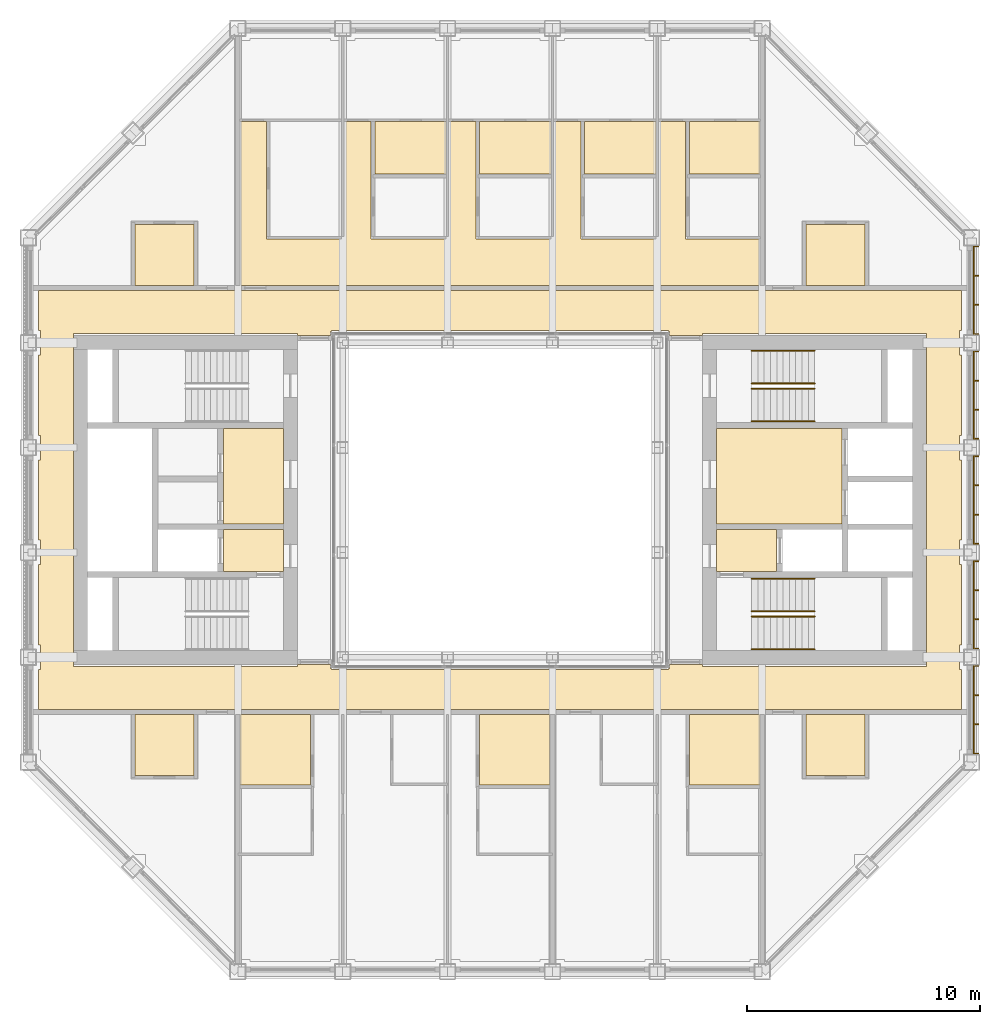
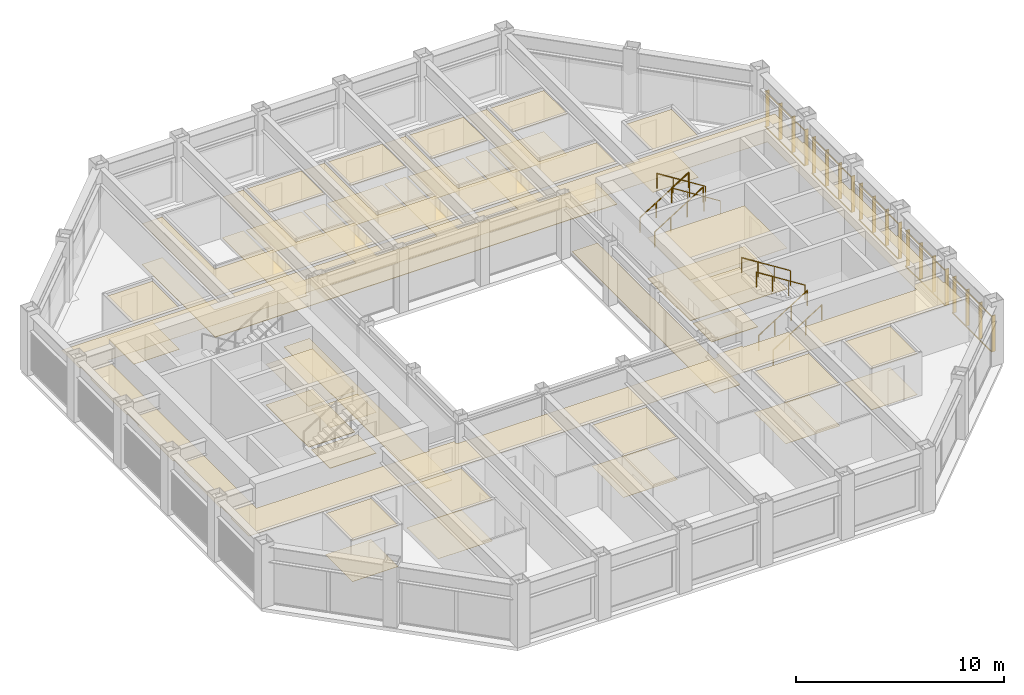
# One storey, part 16 of 17: 8 railings, 4 coverings, 1 shading device.
"""IFC4 building model written with IfcOpenShell, lengths in metres."""

from ifc_helpers import new_model, si_unit, direction, frame, origin, origin_2d, place, context, subcontext, project, spatial, line, indexed_curve, rectangle, circle, outline, extrude, material, layer, layer_set, type_object, element, save


model = new_model("IFC4")

# Units and contexts
model_context = context("Model", 3, precision=1e-05, world=origin(), true_north=direction((0.0, 1.0)))
body_context = subcontext(model_context, "Body", "Model", "MODEL_VIEW")
ifc_project = project(units=[si_unit("LENGTHUNIT", "METRE"), si_unit("AREAUNIT", "SQUARE_METRE"), si_unit("VOLUMEUNIT", "CUBIC_METRE"), si_unit("PLANEANGLEUNIT", "RADIAN"), si_unit("MASSUNIT", "GRAM", prefix="KILO")], contexts=[model_context])

# Site, building, storey
site_placement = place(None, origin())
site = spatial("IfcSite", under=ifc_project, at=site_placement, CompositionType="ELEMENT")
building_placement = place(site_placement, origin())
building = spatial("IfcBuilding", under=site, at=building_placement, Name="Msasa Ring Tower", CompositionType="ELEMENT")
storey_placement = place(building_placement, frame((0.0, 0.0, 253.300048828125)))
storey = spatial("IfcBuildingStorey", under=building, at=storey_placement, Name="L66", CompositionType="ELEMENT", Elevation=253.300048828125)

# Shading device
ifc_material_1 = material(Name="Extruded terracotta on aluminium carriers", Category="masonry")
shading_device_type = type_object("IfcShadingDeviceType", Name="BS2 TERRACOTTA FIN SCREEN 40x200 AT 1350", PredefinedType="USERDEFINED", material=ifc_material_1)
shading_device_placement = place(storey_placement, origin())
element("IfcShadingDevice", 1, at=shading_device_placement, inside=storey, type_object=shading_device_type, Name="Terracotta fin screen E L66", ObjectType="BAGUETTE", PredefinedType="USERDEFINED", context=body_context, shape_type="SweptSolid", body=[
    extrude(rectangle(XDim=0.06005859375, YDim=0.0400390625, at=origin_2d()), frame((20.330078125, -10.89990234375, 0.329833984375), z_axis=(0.0, 1.0, 0.0), x_axis=(0.0, 0.0, 1.0)), (0.0, 0.0, 1.0), 3.800048828125),
    extrude(rectangle(XDim=0.06005859375, YDim=0.0400390625, at=origin_2d()), frame((20.330078125, -10.89990234375, 2.39892578125), z_axis=(0.0, 1.0, 0.0), x_axis=(0.0, 0.0, 1.0)), (0.0, 0.0, 1.0), 3.800048828125),
    extrude(rectangle(XDim=0.0400390625, YDim=0.199951171875, at=origin_2d()), frame((20.445068359375, -10.8798828125, 0.300048828125), z_axis=(0.0, 0.0, 1.0), x_axis=(0.0, 1.0, 0.0)), (0.0, 0.0, 1.0), 2.12890625),
    extrude(rectangle(XDim=0.0400390625, YDim=0.199951171875, at=origin_2d()), frame((20.445068359375, -9.626708984375, 0.300048828125), z_axis=(0.0, 0.0, 1.0), x_axis=(0.0, 1.0, 0.0)), (0.0, 0.0, 1.0), 2.12890625),
    extrude(rectangle(XDim=0.0400390625, YDim=0.199951171875, at=origin_2d()), frame((20.445068359375, -8.373291015625, 0.300048828125), z_axis=(0.0, 0.0, 1.0), x_axis=(0.0, 1.0, 0.0)), (0.0, 0.0, 1.0), 2.12890625),
    extrude(rectangle(XDim=0.0400390625, YDim=0.199951171875, at=origin_2d()), frame((20.445068359375, -7.1201171875, 0.300048828125), z_axis=(0.0, 0.0, 1.0), x_axis=(0.0, 1.0, 0.0)), (0.0, 0.0, 1.0), 2.12890625),
    extrude(rectangle(XDim=0.06005859375, YDim=0.0400390625, at=origin_2d()), frame((20.330078125, -6.39990234375, 0.329833984375), z_axis=(0.0, 1.0, 0.0), x_axis=(0.0, 0.0, 1.0)), (0.0, 0.0, 1.0), 3.800048828125),
    extrude(rectangle(XDim=0.06005859375, YDim=0.0400390625, at=origin_2d()), frame((20.330078125, -6.39990234375, 2.39892578125), z_axis=(0.0, 1.0, 0.0), x_axis=(0.0, 0.0, 1.0)), (0.0, 0.0, 1.0), 3.800048828125),
    extrude(rectangle(XDim=0.0400390625, YDim=0.199951171875, at=origin_2d()), frame((20.445068359375, -6.3798828125, 0.300048828125), z_axis=(0.0, 0.0, 1.0), x_axis=(0.0, 1.0, 0.0)), (0.0, 0.0, 1.0), 2.12890625),
    extrude(rectangle(XDim=0.0400390625, YDim=0.199951171875, at=origin_2d()), frame((20.445068359375, -5.126708984375, 0.300048828125), z_axis=(0.0, 0.0, 1.0), x_axis=(0.0, 1.0, 0.0)), (0.0, 0.0, 1.0), 2.12890625),
    extrude(rectangle(XDim=0.0400390625, YDim=0.199951171875, at=origin_2d()), frame((20.445068359375, -3.873291015625, 0.300048828125), z_axis=(0.0, 0.0, 1.0), x_axis=(0.0, 1.0, 0.0)), (0.0, 0.0, 1.0), 2.12890625),
    extrude(rectangle(XDim=0.0400390625, YDim=0.199951171875, at=origin_2d()), frame((20.445068359375, -2.6201171875, 0.300048828125), z_axis=(0.0, 0.0, 1.0), x_axis=(0.0, 1.0, 0.0)), (0.0, 0.0, 1.0), 2.12890625),
    extrude(rectangle(XDim=0.06005859375, YDim=0.0400390625, at=origin_2d()), frame((20.330078125, -1.89990234375, 0.329833984375), z_axis=(0.0, 1.0, 0.0), x_axis=(0.0, 0.0, 1.0)), (0.0, 0.0, 1.0), 3.800048828125),
    extrude(rectangle(XDim=0.06005859375, YDim=0.0400390625, at=origin_2d()), frame((20.330078125, -1.89990234375, 2.39892578125), z_axis=(0.0, 1.0, 0.0), x_axis=(0.0, 0.0, 1.0)), (0.0, 0.0, 1.0), 3.800048828125),
    extrude(rectangle(XDim=0.0400390625, YDim=0.199951171875, at=origin_2d()), frame((20.445068359375, -1.8798828125, 0.300048828125), z_axis=(0.0, 0.0, 1.0), x_axis=(0.0, 1.0, 0.0)), (0.0, 0.0, 1.0), 2.12890625),
    extrude(rectangle(XDim=0.0400390625, YDim=0.199951171875, at=origin_2d()), frame((20.445068359375, -0.626708984375, 0.300048828125), z_axis=(0.0, 0.0, 1.0), x_axis=(0.0, 1.0, 0.0)), (0.0, 0.0, 1.0), 2.12890625),
    extrude(rectangle(XDim=0.0400390625, YDim=0.199951171875, at=origin_2d()), frame((20.445068359375, 0.626708984375, 0.300048828125), z_axis=(0.0, 0.0, 1.0), x_axis=(0.0, 1.0, 0.0)), (0.0, 0.0, 1.0), 2.12890625),
    extrude(rectangle(XDim=0.0400390625, YDim=0.199951171875, at=origin_2d()), frame((20.445068359375, 1.8798828125, 0.300048828125), z_axis=(0.0, 0.0, 1.0), x_axis=(0.0, 1.0, 0.0)), (0.0, 0.0, 1.0), 2.12890625),
    extrude(rectangle(XDim=0.06005859375, YDim=0.0400390625, at=origin_2d()), frame((20.330078125, 2.60009765625, 0.329833984375), z_axis=(0.0, 1.0, 0.0), x_axis=(0.0, 0.0, 1.0)), (0.0, 0.0, 1.0), 3.800048828125),
    extrude(rectangle(XDim=0.06005859375, YDim=0.0400390625, at=origin_2d()), frame((20.330078125, 2.60009765625, 2.39892578125), z_axis=(0.0, 1.0, 0.0), x_axis=(0.0, 0.0, 1.0)), (0.0, 0.0, 1.0), 3.800048828125),
    extrude(rectangle(XDim=0.0400390625, YDim=0.199951171875, at=origin_2d()), frame((20.445068359375, 2.6201171875, 0.300048828125), z_axis=(0.0, 0.0, 1.0), x_axis=(0.0, 1.0, 0.0)), (0.0, 0.0, 1.0), 2.12890625),
    extrude(rectangle(XDim=0.0400390625, YDim=0.199951171875, at=origin_2d()), frame((20.445068359375, 3.873291015625, 0.300048828125), z_axis=(0.0, 0.0, 1.0), x_axis=(0.0, 1.0, 0.0)), (0.0, 0.0, 1.0), 2.12890625),
    extrude(rectangle(XDim=0.0400390625, YDim=0.199951171875, at=origin_2d()), frame((20.445068359375, 5.126708984375, 0.300048828125), z_axis=(0.0, 0.0, 1.0), x_axis=(0.0, 1.0, 0.0)), (0.0, 0.0, 1.0), 2.12890625),
    extrude(rectangle(XDim=0.0400390625, YDim=0.199951171875, at=origin_2d()), frame((20.445068359375, 6.3798828125, 0.300048828125), z_axis=(0.0, 0.0, 1.0), x_axis=(0.0, 1.0, 0.0)), (0.0, 0.0, 1.0), 2.12890625),
    extrude(rectangle(XDim=0.06005859375, YDim=0.0400390625, at=origin_2d()), frame((20.330078125, 7.10009765625, 0.329833984375), z_axis=(0.0, 1.0, 0.0), x_axis=(0.0, 0.0, 1.0)), (0.0, 0.0, 1.0), 3.800048828125),
    extrude(rectangle(XDim=0.06005859375, YDim=0.0400390625, at=origin_2d()), frame((20.330078125, 7.10009765625, 2.39892578125), z_axis=(0.0, 1.0, 0.0), x_axis=(0.0, 0.0, 1.0)), (0.0, 0.0, 1.0), 3.800048828125),
    extrude(rectangle(XDim=0.0400390625, YDim=0.199951171875, at=origin_2d()), frame((20.445068359375, 7.1201171875, 0.300048828125), z_axis=(0.0, 0.0, 1.0), x_axis=(0.0, 1.0, 0.0)), (0.0, 0.0, 1.0), 2.12890625),
    extrude(rectangle(XDim=0.0400390625, YDim=0.199951171875, at=origin_2d()), frame((20.445068359375, 8.373291015625, 0.300048828125), z_axis=(0.0, 0.0, 1.0), x_axis=(0.0, 1.0, 0.0)), (0.0, 0.0, 1.0), 2.12890625),
    extrude(rectangle(XDim=0.0400390625, YDim=0.199951171875, at=origin_2d()), frame((20.445068359375, 9.626708984375, 0.300048828125), z_axis=(0.0, 0.0, 1.0), x_axis=(0.0, 1.0, 0.0)), (0.0, 0.0, 1.0), 2.12890625),
    extrude(rectangle(XDim=0.0400390625, YDim=0.199951171875, at=origin_2d()), frame((20.445068359375, 10.8798828125, 0.300048828125), z_axis=(0.0, 0.0, 1.0), x_axis=(0.0, 1.0, 0.0)), (0.0, 0.0, 1.0), 2.12890625),
])

# Coverings
ifc_material_2 = material(Name="Gypsum plasterboard on a steel suspension grid", Category="steel")
ifc_layer_1 = layer(ifc_material_2, 0.014892578125)
ifc_layer_set_1 = layer_set([ifc_layer_1], Name="C1 SUSPENDED PLASTERBOARD CEILING 15")
covering_type_1 = type_object("IfcCoveringType", Name="C1 SUSPENDED PLASTERBOARD CEILING 15", PredefinedType="CEILING", material=ifc_layer_set_1)
covering_1_placement = place(storey_placement, frame((0.0, 0.0, 2.39990234375)))
element("IfcCovering", 2, at=covering_1_placement, inside=storey, type_object=covering_type_1, Name="Suspended Plasterboard Ceiling 15 circulation L66", PredefinedType="CEILING", context=body_context, shape_type="SweptSolid", body=[
    extrude(outline(indexed_curve([(19.799560546875, 7.275390625), (19.724609375, 7.275390625), (19.724609375, 6.224609375), (19.799560546875, 6.224609375), (19.799560546875, 2.775390625), (19.724609375, 2.775390625), (19.724609375, 1.724609375), (19.799560546875, 1.724609375), (19.799560546875, -1.724609375), (19.724609375, -1.724609375), (19.724609375, -2.775390625), (19.799560546875, -2.775390625), (19.799560546875, -6.224609375), (19.724609375, -6.224609375), (19.724609375, -7.275390625), (19.799560546875, -7.275390625), (19.799560546875, -8.99951171875), (-19.799560546875, -8.99951171875), (-19.799560546875, -7.275390625), (-19.724609375, -7.275390625), (-19.724609375, -6.224609375), (-19.799560546875, -6.224609375), (-19.799560546875, -2.775390625), (-19.724609375, -2.775390625), (-19.724609375, -1.724609375), (-19.799560546875, -1.724609375), (-19.799560546875, 1.724609375), (-19.724609375, 1.724609375), (-19.724609375, 2.775390625), (-19.799560546875, 2.775390625), (-19.799560546875, 6.224609375), (-19.724609375, 6.224609375), (-19.724609375, 7.275390625), (-19.799560546875, 7.275390625), (-19.799560546875, 8.99951171875), (19.799560546875, 8.99951171875)], segments=[line(1, 2, 3, 4, 5, 6, 7, 8, 9, 10, 11, 12, 13, 14, 15, 16, 17, 18, 19, 20, 21, 22, 23, 24, 25, 26, 27, 28, 29, 30, 31, 32, 33, 34, 35, 36, 1)], self_intersect=False), holes=[indexed_curve([(8.699462890625, -7.150390625), (18.300537109375, -7.150390625), (18.300537109375, 7.150390625), (8.699462890625, 7.150390625), (8.699462890625, 7.050537109375), (7.280029296875, 7.050537109375), (7.280517578125, 7.23046875), (7.22998046875, 7.23046875), (7.22998046875, 7.280029296875), (-7.22998046875, 7.280029296875), (-7.22998046875, 7.23046875), (-7.280517578125, 7.23046875), (-7.280029296875, 7.050537109375), (-8.699462890625, 7.050537109375), (-8.699462890625, 7.150390625), (-18.300537109375, 7.150390625), (-18.300537109375, -7.150390625), (-8.699462890625, -7.150390625), (-8.699462890625, -7.050537109375), (-7.280029296875, -7.050537109375), (-7.280517578125, -7.23046875), (-7.22998046875, -7.23046875), (-7.22998046875, -7.280029296875), (7.22998046875, -7.280029296875), (7.22998046875, -7.23046875), (7.280517578125, -7.23046875), (7.280029296875, -7.050537109375), (8.699462890625, -7.050537109375)], segments=[line(1, 2, 3, 4, 5, 6, 7, 8, 9, 10, 11, 12, 13, 14, 15, 16, 17, 18, 19, 20, 21, 22, 23, 24, 25, 26, 27, 28, 1)], self_intersect=False)]), origin(), (0.0, 0.0, 1.0), 0.01513671875),
    extrude(outline(indexed_curve([(-9.300537109375, -3.074462890625), (-11.87451171875, -3.074462890625), (-11.87451171875, -1.275390625), (-9.300537109375, -1.275390625)], segments=[line(1, 2, 3, 4, 1)], self_intersect=False)), origin(), (0.0, 0.0, 1.0), 0.01513671875),
    extrude(outline(indexed_curve([(-9.300537109375, -1.0244140625), (-11.87451171875, -1.0244140625), (-11.87451171875, 3.074462890625), (-9.300537109375, 3.074462890625)], segments=[line(1, 2, 3, 4, 1)], self_intersect=False)), origin(), (0.0, 0.0, 1.0), 0.01513671875),
    extrude(outline(indexed_curve([(-6.689453125, 16.244384765625), (-5.530517578125, 16.244384765625), (-5.530517578125, 11.199462890625), (-2.189453125, 11.199462890625), (-2.189453125, 16.244384765625), (-1.030517578125, 16.244384765625), (-1.030517578125, 11.199462890625), (2.310546875, 11.199462890625), (2.310546875, 16.244384765625), (3.469482421875, 16.244384765625), (3.469482421875, 11.199462890625), (6.810546875, 11.199462890625), (6.810546875, 16.244384765625), (7.969482421875, 16.244384765625), (7.969482421875, 11.199462890625), (11.1494140625, 11.199462890625), (11.1494140625, 9.200439453125), (-11.1494140625, 9.200439453125), (-11.1494140625, 16.244384765625), (-10.030517578125, 16.244384765625), (-10.030517578125, 11.199462890625), (-6.689453125, 11.199462890625)], segments=[line(1, 2, 3, 4, 5, 6, 7, 8, 9, 10, 11, 12, 13, 14, 15, 16, 17, 18, 19, 20, 21, 22, 1)], self_intersect=False)), origin(), (0.0, 0.0, 1.0), 0.01513671875),
    extrude(outline(indexed_curve([(9.300537109375, -3.074462890625), (9.300537109375, -1.275390625), (11.87451171875, -1.275390625), (11.87451171875, -3.074462890625)], segments=[line(1, 2, 3, 4, 1)], self_intersect=False)), origin(), (0.0, 0.0, 1.0), 0.01513671875),
    extrude(outline(indexed_curve([(9.300537109375, -1.0244140625), (9.300537109375, 3.074462890625), (14.674560546875, 3.074462890625), (14.674560546875, -1.0244140625)], segments=[line(1, 2, 3, 4, 1)], self_intersect=False)), origin(), (0.0, 0.0, 1.0), 0.01513671875),
])
ifc_material_3 = material(Name="Moisture-resistant gypsum plasterboard on a steel suspension grid", Category="steel")
ifc_layer_2 = layer(ifc_material_3, 0.014892578125)
ifc_layer_set_2 = layer_set([ifc_layer_2], Name="C2 MOISTURE-RESISTANT PLASTERBOARD CEILING 15")
covering_type_2 = type_object("IfcCoveringType", Name="C2 MOISTURE-RESISTANT PLASTERBOARD CEILING 15", PredefinedType="CEILING", material=ifc_layer_set_2)
covering_2_placement = place(storey_placement, frame((0.0, 0.0, 2.39990234375)))
element("IfcCovering", 3, at=covering_2_placement, inside=storey, type_object=covering_type_2, Name="Moisture-Resistant Plasterboard Ceiling 15 L66", PredefinedType="CEILING", context=body_context, shape_type="SweptSolid", body=[
    extrude(outline(indexed_curve([(-15.66943359375, -11.819580078125), (-15.66943359375, -9.200439453125), (-13.130615234375, -9.200439453125), (-13.130615234375, -11.819580078125)], segments=[line(1, 2, 3, 4, 1)], self_intersect=False)), origin(), (0.0, 0.0, 1.0), 0.01513671875),
    extrude(outline(indexed_curve([(-15.66943359375, 11.819580078125), (-13.130615234375, 11.819580078125), (-13.130615234375, 9.200439453125), (-15.66943359375, 9.200439453125)], segments=[line(1, 2, 3, 4, 1)], self_intersect=False)), origin(), (0.0, 0.0, 1.0), 0.01513671875),
    extrude(outline(indexed_curve([(-11.1494140625, -9.200439453125), (-8.12548828125, -9.200439453125), (-8.12548828125, -12.224609375), (-11.1494140625, -12.224609375)], segments=[line(1, 2, 3, 4, 1)], self_intersect=False)), origin(), (0.0, 0.0, 1.0), 0.01513671875),
    extrude(outline(indexed_curve([(-5.369384765625, 16.244384765625), (-2.310546875, 16.244384765625), (-2.310546875, 13.98046875), (-5.369384765625, 13.98046875)], segments=[line(1, 2, 3, 4, 1)], self_intersect=False)), origin(), (0.0, 0.0, 1.0), 0.01513671875),
    extrude(outline(indexed_curve([(2.1494140625, -9.200439453125), (2.1494140625, -12.224609375), (-0.87451171875, -12.224609375), (-0.87451171875, -9.200439453125)], segments=[line(1, 2, 3, 4, 1)], self_intersect=False)), origin(), (0.0, 0.0, 1.0), 0.01513671875),
    extrude(outline(indexed_curve([(-0.869384765625, 13.98046875), (-0.869384765625, 16.244384765625), (2.189453125, 16.244384765625), (2.189453125, 13.98046875)], segments=[line(1, 2, 3, 4, 1)], self_intersect=False)), origin(), (0.0, 0.0, 1.0), 0.01513671875),
    extrude(outline(indexed_curve([(3.630615234375, 16.244384765625), (6.689453125, 16.244384765625), (6.689453125, 13.98046875), (3.630615234375, 13.98046875)], segments=[line(1, 2, 3, 4, 1)], self_intersect=False)), origin(), (0.0, 0.0, 1.0), 0.01513671875),
    extrude(outline(indexed_curve([(11.1494140625, -9.200439453125), (11.1494140625, -12.224609375), (8.12548828125, -12.224609375), (8.12548828125, -9.200439453125)], segments=[line(1, 2, 3, 4, 1)], self_intersect=False)), origin(), (0.0, 0.0, 1.0), 0.01513671875),
    extrude(outline(indexed_curve([(8.130615234375, 16.244384765625), (11.1494140625, 16.244384765625), (11.1494140625, 13.98046875), (8.130615234375, 13.98046875)], segments=[line(1, 2, 3, 4, 1)], self_intersect=False)), origin(), (0.0, 0.0, 1.0), 0.01513671875),
    extrude(outline(indexed_curve([(13.130615234375, -9.200439453125), (15.66943359375, -9.200439453125), (15.66943359375, -11.819580078125), (13.130615234375, -11.819580078125)], segments=[line(1, 2, 3, 4, 1)], self_intersect=False)), origin(), (0.0, 0.0, 1.0), 0.01513671875),
    extrude(outline(indexed_curve([(13.130615234375, 9.200439453125), (13.130615234375, 11.819580078125), (15.66943359375, 11.819580078125), (15.66943359375, 9.200439453125)], segments=[line(1, 2, 3, 4, 1)], self_intersect=False)), origin(), (0.0, 0.0, 1.0), 0.01513671875),
])
ifc_material_4 = material(Name="Honed granite tiles on a mortar bed", Category="masonry")
ifc_layer_3 = layer(ifc_material_4, 0.030029296875)
ifc_layer_set_3 = layer_set([ifc_layer_3], Name="F1 HONED GRANITE ON BEDDING 30")
covering_type_3 = type_object("IfcCoveringType", Name="F1 HONED GRANITE ON BEDDING 30", PredefinedType="FLOORING", material=ifc_layer_set_3)
covering_3_placement = place(storey_placement, origin())
element("IfcCovering", 4, at=covering_3_placement, inside=storey, type_object=covering_type_3, Name="Honed Granite On Bedding 30 L66", PredefinedType="FLOORING", context=body_context, shape_type="SweptSolid", body=[
    extrude(outline(indexed_curve([(-11.87451171875, -3.074462890625), (-11.87451171875, -1.275390625), (-9.300537109375, -1.275390625), (-9.300537109375, -3.074462890625)], segments=[line(1, 2, 3, 4, 1)], self_intersect=False)), origin(), (0.0, 0.0, 1.0), 0.030029296875),
    extrude(outline(indexed_curve([(-11.87451171875, 3.074462890625), (-9.300537109375, 3.074462890625), (-9.300537109375, -1.0244140625), (-11.87451171875, -1.0244140625)], segments=[line(1, 2, 3, 4, 1)], self_intersect=False)), origin(), (0.0, 0.0, 1.0), 0.030029296875),
    extrude(outline(indexed_curve([(-5.530517578125, 16.244384765625), (-5.530517578125, 11.199462890625), (-2.189453125, 11.199462890625), (-2.189453125, 16.244384765625), (-1.030517578125, 16.244384765625), (-1.030517578125, 11.199462890625), (2.310546875, 11.199462890625), (2.310546875, 16.244384765625), (3.469482421875, 16.244384765625), (3.469482421875, 11.199462890625), (6.810546875, 11.199462890625), (6.810546875, 16.244384765625), (7.969482421875, 16.244384765625), (7.969482421875, 11.199462890625), (11.1494140625, 11.199462890625), (11.1494140625, 9.200439453125), (-11.1494140625, 9.200439453125), (-11.1494140625, 16.244384765625), (-10.030517578125, 16.244384765625), (-10.030517578125, 11.199462890625), (-6.689453125, 11.199462890625), (-6.689453125, 16.244384765625)], segments=[line(1, 2, 3, 4, 5, 6, 7, 8, 9, 10, 11, 12, 13, 14, 15, 16, 17, 18, 19, 20, 21, 22, 1)], self_intersect=False)), origin(), (0.0, 0.0, 1.0), 0.030029296875),
    extrude(outline(indexed_curve([(-8.699462890625, 6.849609375), (-7.280029296875, 6.849609375), (-7.280029296875, -6.849609375), (-8.699462890625, -6.849609375)], segments=[line(1, 2, 3, 4, 1)], self_intersect=False)), origin(), (0.0, 0.0, 1.0), 0.030029296875),
    extrude(outline(indexed_curve([(8.699462890625, 6.849609375), (8.699462890625, -6.849609375), (7.280029296875, -6.849609375), (7.280029296875, 6.849609375)], segments=[line(1, 2, 3, 4, 1)], self_intersect=False)), origin(), (0.0, 0.0, 1.0), 0.030029296875),
    extrude(outline(indexed_curve([(9.300537109375, -1.275390625), (11.87451171875, -1.275390625), (11.87451171875, -3.074462890625), (9.300537109375, -3.074462890625)], segments=[line(1, 2, 3, 4, 1)], self_intersect=False)), origin(), (0.0, 0.0, 1.0), 0.030029296875),
    extrude(outline(indexed_curve([(9.300537109375, 3.074462890625), (14.674560546875, 3.074462890625), (14.674560546875, -1.0244140625), (9.300537109375, -1.0244140625)], segments=[line(1, 2, 3, 4, 1)], self_intersect=False)), origin(), (0.0, 0.0, 1.0), 0.030029296875),
])
ifc_material_5 = material(Name="Porcelain floor tiles in adhesive", Category="ceramic")
ifc_layer_4 = layer(ifc_material_5, 0.010009765625)
ifc_layer_set_4 = layer_set([ifc_layer_4], Name="F4 PORCELAIN TILE ON ADHESIVE 10")
covering_type_4 = type_object("IfcCoveringType", Name="F4 PORCELAIN TILE ON ADHESIVE 10", PredefinedType="FLOORING", material=ifc_layer_set_4)
covering_4_placement = place(storey_placement, origin())
element("IfcCovering", 5, at=covering_4_placement, inside=storey, type_object=covering_type_4, Name="Porcelain Tile On Adhesive 10 L66", PredefinedType="FLOORING", context=body_context, shape_type="SweptSolid", body=[
    extrude(outline(indexed_curve([(-15.66943359375, -9.200439453125), (-13.130615234375, -9.200439453125), (-13.130615234375, -11.819580078125), (-15.66943359375, -11.819580078125)], segments=[line(1, 2, 3, 4, 1)], self_intersect=False)), origin(), (0.0, 0.0, 1.0), 0.010009765625),
    extrude(outline(indexed_curve([(-13.130615234375, 11.819580078125), (-13.130615234375, 9.200439453125), (-15.66943359375, 9.200439453125), (-15.66943359375, 11.819580078125)], segments=[line(1, 2, 3, 4, 1)], self_intersect=False)), origin(), (0.0, 0.0, 1.0), 0.010009765625),
    extrude(outline(indexed_curve([(-11.1494140625, -9.200439453125), (-8.12548828125, -9.200439453125), (-8.12548828125, -12.224609375), (-11.1494140625, -12.224609375)], segments=[line(1, 2, 3, 4, 1)], self_intersect=False)), origin(), (0.0, 0.0, 1.0), 0.010009765625),
    extrude(outline(indexed_curve([(-2.310546875, 16.244384765625), (-2.310546875, 13.98046875), (-5.369384765625, 13.98046875), (-5.369384765625, 16.244384765625)], segments=[line(1, 2, 3, 4, 1)], self_intersect=False)), origin(), (0.0, 0.0, 1.0), 0.010009765625),
    extrude(outline(indexed_curve([(2.1494140625, -9.200439453125), (2.1494140625, -12.224609375), (-0.87451171875, -12.224609375), (-0.87451171875, -9.200439453125)], segments=[line(1, 2, 3, 4, 1)], self_intersect=False)), origin(), (0.0, 0.0, 1.0), 0.010009765625),
    extrude(outline(indexed_curve([(-0.869384765625, 16.244384765625), (2.189453125, 16.244384765625), (2.189453125, 13.98046875), (-0.869384765625, 13.98046875)], segments=[line(1, 2, 3, 4, 1)], self_intersect=False)), origin(), (0.0, 0.0, 1.0), 0.010009765625),
    extrude(outline(indexed_curve([(6.689453125, 16.244384765625), (6.689453125, 13.98046875), (3.630615234375, 13.98046875), (3.630615234375, 16.244384765625)], segments=[line(1, 2, 3, 4, 1)], self_intersect=False)), origin(), (0.0, 0.0, 1.0), 0.010009765625),
    extrude(outline(indexed_curve([(11.1494140625, -9.200439453125), (11.1494140625, -12.224609375), (8.12548828125, -12.224609375), (8.12548828125, -9.200439453125)], segments=[line(1, 2, 3, 4, 1)], self_intersect=False)), origin(), (0.0, 0.0, 1.0), 0.010009765625),
    extrude(outline(indexed_curve([(11.1494140625, 16.244384765625), (11.1494140625, 13.98046875), (8.130615234375, 13.98046875), (8.130615234375, 16.244384765625)], segments=[line(1, 2, 3, 4, 1)], self_intersect=False)), origin(), (0.0, 0.0, 1.0), 0.010009765625),
    extrude(outline(indexed_curve([(15.66943359375, -9.200439453125), (15.66943359375, -11.819580078125), (13.130615234375, -11.819580078125), (13.130615234375, -9.200439453125)], segments=[line(1, 2, 3, 4, 1)], self_intersect=False)), origin(), (0.0, 0.0, 1.0), 0.010009765625),
    extrude(outline(indexed_curve([(13.130615234375, 11.819580078125), (15.66943359375, 11.819580078125), (15.66943359375, 9.200439453125), (13.130615234375, 9.200439453125)], segments=[line(1, 2, 3, 4, 1)], self_intersect=False)), origin(), (0.0, 0.0, 1.0), 0.010009765625),
])

# Railings
ifc_material_6 = material(Name="Stainless steel", Category="steel")
railing_type = type_object("IfcRailingType", Name="HR1 HANDRAIL 900", PredefinedType="HANDRAIL", material=ifc_material_6)
for number, where, name in (
    (6, (10.800048828125, -6.39990234375, 0.17041015625), "Handrail stair SEA L66 1"),
    (7, (10.800048828125, -5.0, 0.17041015625), "Handrail stair SEA L66 2"),
):
    element("IfcRailing", number, at=place(storey_placement, frame(where)), inside=storey, type_object=railing_type, Name=name, PredefinedType="HANDRAIL", context=body_context, shape_type="SweptSolid", body=[
        extrude(circle(Radius=0.02392578125, at=origin_2d()), frame((0.0, 0.0, 0.8759765625), z_axis=(0.845579735284, 0.0, 0.533849146555), x_axis=(0.0, 1.0, 0.0)), (0.0, 0.0, 1.0), 3.193115234375),
        extrude(circle(Radius=0.02099609375, at=origin_2d()), origin(), (0.0, 0.0, 1.0), 0.851806640625),
        extrude(circle(Radius=0.02099609375, at=origin_2d()), frame((0.89990234375, 0.0, 0.568115234375)), (0.0, 0.0, 1.0), 0.851806640625),
        extrude(circle(Radius=0.02099609375, at=origin_2d()), frame((1.800048828125, 0.0, 1.136474609375)), (0.0, 0.0, 1.0), 0.851806640625),
        extrude(circle(Radius=0.02099609375, at=origin_2d()), frame((2.699951171875, 0.0, 1.70458984375)), (0.0, 0.0, 1.0), 0.851806640625),
    ])
for number, where, name in (
    (8, (13.5, -4.77490234375, 2.04541015625), "Handrail stair SEA L66 3"),
    (9, (13.5, -3.375, 2.04541015625), "Handrail stair SEA L66 4"),
):
    element("IfcRailing", number, at=place(storey_placement, frame(where)), inside=storey, type_object=railing_type, Name=name, PredefinedType="HANDRAIL", context=body_context, shape_type="SweptSolid", body=[
        extrude(circle(Radius=0.02392578125, at=origin_2d()), frame((0.0, 0.0, 0.8759765625), z_axis=(-0.845579735284, 0.0, 0.533849146555), x_axis=(0.0, -1.0, 0.0)), (0.0, 0.0, 1.0), 3.193115234375),
        extrude(circle(Radius=0.02099609375, at=origin_2d()), origin(), (0.0, 0.0, 1.0), 0.851806640625),
        extrude(circle(Radius=0.02099609375, at=origin_2d()), frame((-0.89990234375, 0.0, 0.568115234375)), (0.0, 0.0, 1.0), 0.851806640625),
        extrude(circle(Radius=0.02099609375, at=origin_2d()), frame((-1.800048828125, 0.0, 1.136474609375)), (0.0, 0.0, 1.0), 0.851806640625),
        extrude(circle(Radius=0.02099609375, at=origin_2d()), frame((-2.699951171875, 0.0, 1.70458984375)), (0.0, 0.0, 1.0), 0.851806640625),
    ])
for number, where, name in (
    (10, (10.800048828125, 5.0, 0.17041015625), "Handrail stair SEB L66 1"),
    (11, (10.800048828125, 6.39990234375, 0.17041015625), "Handrail stair SEB L66 2"),
):
    element("IfcRailing", number, at=place(storey_placement, frame(where)), inside=storey, type_object=railing_type, Name=name, PredefinedType="HANDRAIL", context=body_context, shape_type="SweptSolid", body=[
        extrude(circle(Radius=0.02392578125, at=origin_2d()), frame((0.0, 0.0, 0.8759765625), z_axis=(0.845579735284, 0.0, 0.533849146555), x_axis=(0.0, 1.0, 0.0)), (0.0, 0.0, 1.0), 3.193115234375),
        extrude(circle(Radius=0.02099609375, at=origin_2d()), origin(), (0.0, 0.0, 1.0), 0.851806640625),
        extrude(circle(Radius=0.02099609375, at=origin_2d()), frame((0.89990234375, 0.0, 0.568115234375)), (0.0, 0.0, 1.0), 0.851806640625),
        extrude(circle(Radius=0.02099609375, at=origin_2d()), frame((1.800048828125, 0.0, 1.136474609375)), (0.0, 0.0, 1.0), 0.851806640625),
        extrude(circle(Radius=0.02099609375, at=origin_2d()), frame((2.699951171875, 0.0, 1.70458984375)), (0.0, 0.0, 1.0), 0.851806640625),
    ])
for number, where, name in (
    (12, (13.5, 3.375, 2.04541015625), "Handrail stair SEB L66 3"),
    (13, (13.5, 4.77490234375, 2.04541015625), "Handrail stair SEB L66 4"),
):
    element("IfcRailing", number, at=place(storey_placement, frame(where)), inside=storey, type_object=railing_type, Name=name, PredefinedType="HANDRAIL", context=body_context, shape_type="SweptSolid", body=[
        extrude(circle(Radius=0.02392578125, at=origin_2d()), frame((0.0, 0.0, 0.8759765625), z_axis=(-0.845579735284, 0.0, 0.533849146555), x_axis=(0.0, -1.0, 0.0)), (0.0, 0.0, 1.0), 3.193115234375),
        extrude(circle(Radius=0.02099609375, at=origin_2d()), origin(), (0.0, 0.0, 1.0), 0.851806640625),
        extrude(circle(Radius=0.02099609375, at=origin_2d()), frame((-0.89990234375, 0.0, 0.568115234375)), (0.0, 0.0, 1.0), 0.851806640625),
        extrude(circle(Radius=0.02099609375, at=origin_2d()), frame((-1.800048828125, 0.0, 1.136474609375)), (0.0, 0.0, 1.0), 0.851806640625),
        extrude(circle(Radius=0.02099609375, at=origin_2d()), frame((-2.699951171875, 0.0, 1.70458984375)), (0.0, 0.0, 1.0), 0.851806640625),
    ])

save(model, "model.ifc")
